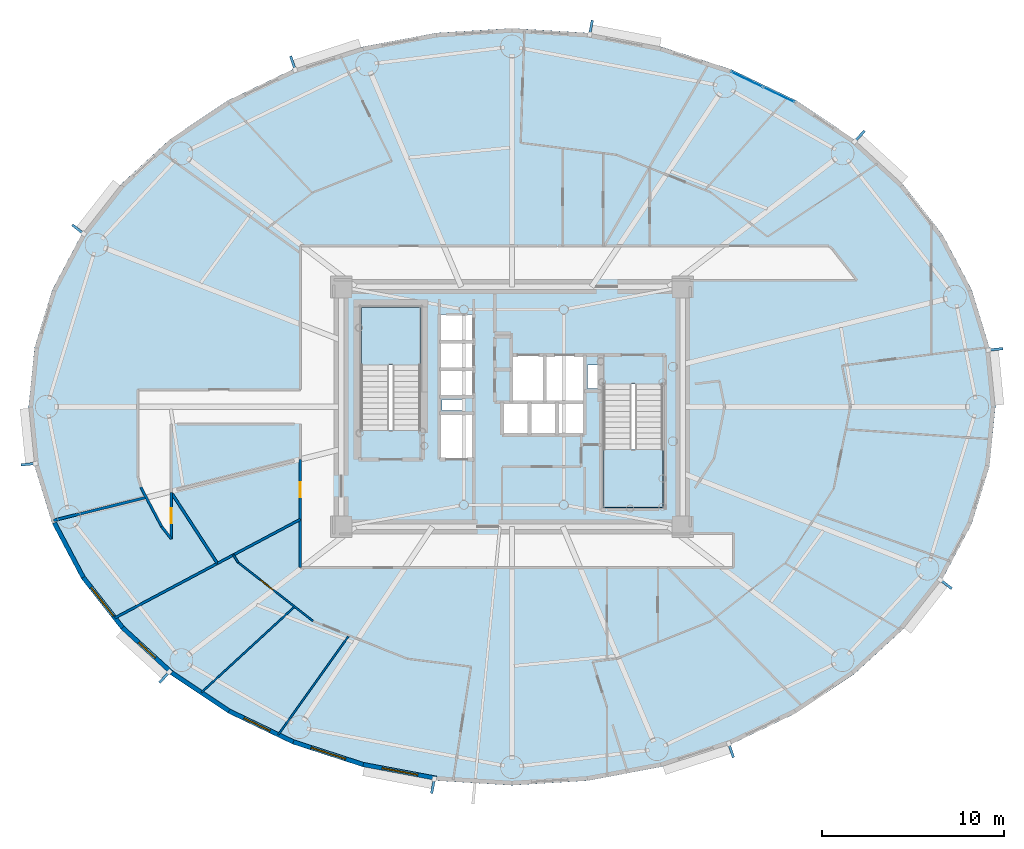
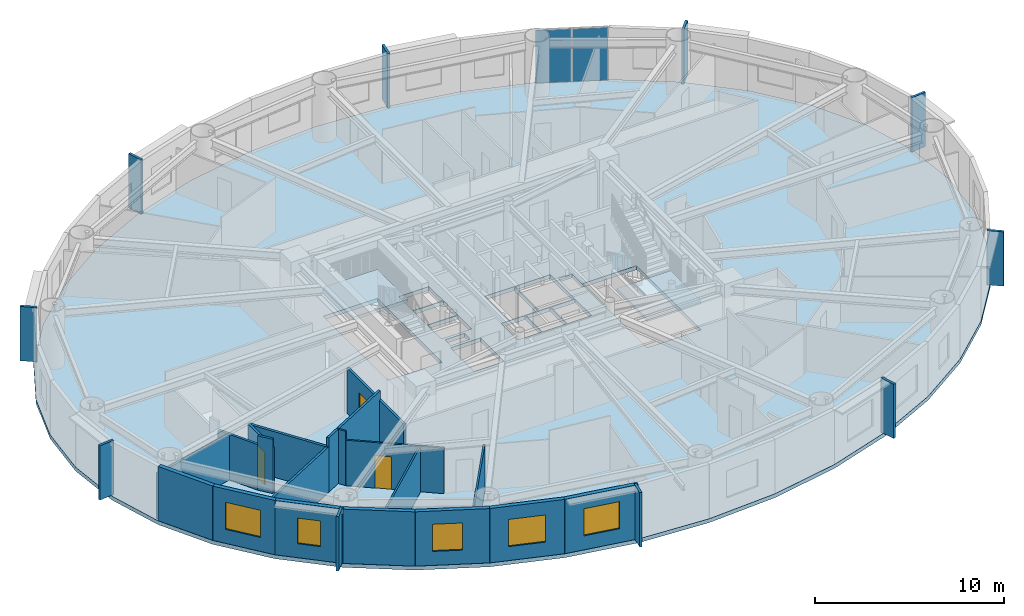
# One storey, part 6 of 17: 20 walls, 12 plates, 5 windows, 3 doors, 3 slabs, 8 openings, 3 elements without a shape of their own.
"""IFC4 building model written with IfcOpenShell, lengths in metres."""

from ifc_helpers import new_model, si_unit, direction, frame, frame_2d, origin, origin_2d, place, context, subcontext, project, spatial, polyline, rectangle, outline, extrude, source, transform, mapped, material, layer, layer_set, type_object, element, fill, aggregate, save


model = new_model("IFC4")

# Units and contexts
model_context = context("Model", 3, precision=1e-05, world=origin(), true_north=direction((0.0, 1.0)))
body_context = subcontext(model_context, "Body", "Model", "MODEL_VIEW")
ifc_project = project(units=[si_unit("LENGTHUNIT", "METRE"), si_unit("AREAUNIT", "SQUARE_METRE"), si_unit("VOLUMEUNIT", "CUBIC_METRE"), si_unit("PLANEANGLEUNIT", "RADIAN"), si_unit("MASSUNIT", "GRAM", prefix="KILO")], contexts=[model_context])

# Site, building, storey
site_placement = place(None, origin())
site = spatial("IfcSite", under=ifc_project, at=site_placement, CompositionType="ELEMENT")
building_placement = place(site_placement, origin())
building = spatial("IfcBuilding", under=site, at=building_placement, Name="Linh Dai School and Residence Tower", CompositionType="ELEMENT")
storey_placement = place(building_placement, frame((0.0, 0.0, 197.39990234375)))
storey = spatial("IfcBuildingStorey", under=building, at=storey_placement, Name="L48", CompositionType="ELEMENT", Elevation=197.39990234375)

# Slab
ifc_material_1 = material(Name="Concrete B45 (C35/45)", Category="concrete")
ifc_layer_1 = layer(ifc_material_1, 0.25)
ifc_layer_set_1 = layer_set([ifc_layer_1], Name="Concrete B45 (C35/45)")
slab_type_1 = type_object("IfcSlabType", Name="SLB-FLR250", PredefinedType="FLOOR", material=ifc_layer_set_1)
slab_1_placement = place(storey_placement, frame((0.0, 0.0, -0.25)))
element("IfcSlab", 1, at=slab_1_placement, inside=storey, type_object=slab_type_1, Name="L48 Composite Structural Floor Slab", PredefinedType="FLOOR", context=body_context, shape_type="SweptSolid", body=[
    extrude(outline(polyline([(62.60009765625, 27.0), (62.2724609375, 30.258544921875), (61.298095703125, 33.436767578125), (59.70068359375, 36.45654296875), (57.519775390625, 39.24365234375), (54.80908203125, 41.72900390625), (51.635009765625, 43.851806640625), (48.076171875, 45.5595703125), (44.219970703125, 46.810546875), (40.1611328125, 47.573486328125), (36.0, 47.830078125), (31.8388671875, 47.573486328125), (27.780029296875, 46.810546875), (23.923828125, 45.5595703125), (20.364990234375, 43.851806640625), (17.19091796875, 41.72900390625), (14.480224609375, 39.24365234375), (12.29931640625, 36.45654296875), (10.701904296875, 33.436767578125), (9.7275390625, 30.258544921875), (9.39990234375, 27.0), (9.7275390625, 23.741455078125), (10.701904296875, 20.563232421875), (12.29931640625, 17.54345703125), (14.480224609375, 14.75634765625), (17.19091796875, 12.27099609375), (20.364990234375, 10.148193359375), (23.923828125, 8.4404296875), (27.780029296875, 7.189453125), (31.8388671875, 6.426513671875), (36.0, 6.169921875), (40.1611328125, 6.426513671875), (44.219970703125, 7.189453125), (48.076171875, 8.4404296875), (51.635009765625, 10.148193359375), (54.80908203125, 12.27099609375), (57.519775390625, 14.75634765625), (59.70068359375, 17.54345703125), (61.298095703125, 20.563232421875), (62.2724609375, 23.741455078125), (62.60009765625, 27.0)]), holes=[polyline([(30.97998046875, 25.699951171875), (30.97998046875, 32.5), (27.679931640625, 32.5), (27.679931640625, 25.699951171875), (30.97998046875, 25.699951171875)]), polyline([(41.02001953125, 28.25), (41.02001953125, 21.449951171875), (44.320068359375, 21.449951171875), (44.320068359375, 28.25), (41.02001953125, 28.25)]), polyline([(35.97998046875, 27.280029296875), (37.77001953125, 27.280029296875), (37.77001953125, 29.820068359375), (35.97998046875, 29.820068359375), (35.97998046875, 27.280029296875)]), polyline([(32.030029296875, 24.1298828125), (33.8701171875, 24.1298828125), (33.8701171875, 26.6201171875), (32.030029296875, 26.6201171875), (32.030029296875, 24.1298828125)]), polyline([(37.830078125, 27.280029296875), (39.969970703125, 27.280029296875), (39.969970703125, 29.820068359375), (37.830078125, 29.820068359375), (37.830078125, 27.280029296875)]), polyline([(32.030029296875, 27.580078125), (33.8701171875, 27.580078125), (33.8701171875, 29.030029296875), (32.030029296875, 29.030029296875), (32.030029296875, 27.580078125)]), polyline([(32.030029296875, 29.090087890625), (33.8701171875, 29.090087890625), (33.8701171875, 30.550048828125), (32.030029296875, 30.550048828125), (32.030029296875, 29.090087890625)]), polyline([(32.030029296875, 30.610107421875), (33.8701171875, 30.610107421875), (33.8701171875, 32.070068359375), (32.030029296875, 32.070068359375), (32.030029296875, 30.610107421875)]), polyline([(35.47998046875, 25.47998046875), (36.929931640625, 25.47998046875), (36.929931640625, 27.219970703125), (35.47998046875, 27.219970703125), (35.47998046875, 25.47998046875)]), polyline([(36.989990234375, 25.47998046875), (38.449951171875, 25.47998046875), (38.449951171875, 27.219970703125), (36.989990234375, 27.219970703125), (36.989990234375, 25.47998046875)]), polyline([(38.510009765625, 25.47998046875), (39.969970703125, 25.47998046875), (39.969970703125, 27.219970703125), (38.510009765625, 27.219970703125), (38.510009765625, 25.47998046875)]), polyline([(40.14990234375, 28.0), (40.14990234375, 29.300048828125), (41.0, 29.300048828125), (41.0, 28.280029296875), (40.989990234375, 28.280029296875), (40.989990234375, 28.0), (40.14990234375, 28.0)]), polyline([(32.14990234375, 26.800048828125), (33.35009765625, 26.800048828125), (33.35009765625, 27.39990234375), (32.14990234375, 27.39990234375), (32.14990234375, 26.800048828125)])]), origin(), (0.0, 0.0, 1.0), 0.25),
])

# Stair, slab
stair_type = type_object("IfcStairType", Name="ST-DOG-1550-R1442", PredefinedType="HALF_TURN_STAIR", material=ifc_material_1)
stair_1_placement = place(storey_placement, origin())
stair_1 = element("IfcStair", 2, at=stair_1_placement, inside=storey, type_object=stair_type, Name="L48 Core Smokeproof Exit Stair ST1", PredefinedType="HALF_TURN_STAIR")
ifc_layer_2 = layer(ifc_material_1, 0.199951171875)
ifc_layer_set_2 = layer_set([ifc_layer_2], Name="Concrete B45 (C35/45)")
slab_type_2 = type_object("IfcSlabType", Name="SLB-ST-LANDING-200", PredefinedType="LANDING", material=ifc_layer_set_2)
slab_2_placement = place(storey_placement, frame((0.0, 0.0, 1.675048828125)))
slab_2 = element("IfcSlab", 3, at=slab_2_placement, type_object=slab_type_2, Name="ST1 landing 1", PredefinedType="LANDING", context=body_context, shape_type="SweptSolid", body=[
    extrude(outline(polyline([(30.97998046875, 29.300048828125), (30.97998046875, 32.5), (27.679931640625, 32.5), (27.679931640625, 29.300048828125), (30.97998046875, 29.300048828125)])), origin(), (0.0, 0.0, 1.0), 0.199951171875),
])
aggregate(stair_1, [slab_2])

stair_2_placement = place(storey_placement, origin())
stair_2 = element("IfcStair", 4, at=stair_2_placement, inside=storey, type_object=stair_type, Name="L48 Core Smokeproof Exit Stair ST2", PredefinedType="HALF_TURN_STAIR")
slab_3_placement = place(storey_placement, frame((0.0, 0.0, 1.675048828125)))
slab_3 = element("IfcSlab", 5, at=slab_3_placement, type_object=slab_type_2, Name="ST2 landing 1", PredefinedType="LANDING", context=body_context, shape_type="SweptSolid", body=[
    extrude(outline(polyline([(41.02001953125, 24.64990234375), (41.02001953125, 21.449951171875), (44.320068359375, 21.449951171875), (44.320068359375, 24.64990234375), (41.02001953125, 24.64990234375)])), origin(), (0.0, 0.0, 1.0), 0.199951171875),
])
aggregate(stair_2, [slab_3])

# Plates
ifc_material_2 = material(Name="Precast Concrete B45 (C35/45)", Category="concrete")
ifc_layer_3 = layer(ifc_material_2, 0.139892578125)
ifc_layer_set_3 = layer_set([ifc_layer_3], Name="Precast Concrete B45 (C35/45)")
plate_type_1 = type_object("IfcPlateType", Name="FIN-TC-900x140", PredefinedType="USERDEFINED", material=ifc_layer_set_3)
shared_shape_1 = source(origin(), body_context, "Body", "SweptSolid", [
    extrude(rectangle(XDim=0.89990234375, YDim=0.139892578125, at=origin_2d()), origin(), (0.0, 0.0, 1.0), 3.5),
])
for number, where, z_axis, x_axis, name in (
    (6, (62.56982421875, 30.1552734375, 0.0), (0.0, 0.0, 1.0), (0.994987256586, 0.100001796141, 0.0), "L48 Precast Terracotta Radial Fin 01"),
    (7, (55.097412109375, 41.851806640625, 0.0), (0.0, 0.0, 1.0), (0.67580001435, 0.737085029426, 0.0), "L48 Precast Terracotta Radial Fin 05"),
    (8, (40.33935546875, 47.830322265625, 0.0), (0.0, 0.0, 1.0), (0.184762540184, 0.982783192645, 0.0), "L48 Precast Terracotta Radial Fin 09"),
    (9, (23.957763671875, 45.87060546875, 0.0), (0.0, 0.0, 1.0), (-0.308535707031, 0.951212761419, 0.0), "L48 Precast Terracotta Radial Fin 13"),
    (10, (12.155029296875, 36.735595703125, 0.0), (0.0, 0.0, 1.0), (-0.787522158319, 0.616286337798, 0.0), "L48 Precast Terracotta Radial Fin 17"),
    (11, (9.43017578125, 23.8447265625, 0.0), (0.0, 0.0, 1.0), (-0.994987256586, -0.100001796141, 0.0), "L48 Precast Terracotta Radial Fin 21"),
    (12, (16.902587890625, 12.148193359375, 0.0), (0.0, 0.0, 1.0), (-0.67580001435, -0.737085029426, 0.0), "L48 Precast Terracotta Radial Fin 25"),
    (13, (31.66064453125, 6.169677734375, 0.0), (0.0, 0.0, 1.0), (-0.184762540184, -0.982783192645, 0.0), "L48 Precast Terracotta Radial Fin 29"),
    (14, (48.042236328125, 8.12939453125, 0.0), (0.0, 0.0, 1.0), (0.308535707031, -0.951212761419, 0.0), "L48 Precast Terracotta Radial Fin 33"),
    (15, (59.844970703125, 17.264404296875, 0.0), (0.0, 0.0, 1.0), (0.787522158319, -0.616286337798, 0.0), "L48 Precast Terracotta Radial Fin 37"),
):
    element("IfcPlate", number, at=place(storey_placement, frame(where, z_axis=z_axis, x_axis=x_axis)), inside=storey, type_object=plate_type_1, Name=name, ObjectType="RADIAL FIN", PredefinedType="USERDEFINED", context=body_context, shape_type="MappedRepresentation", body=[
        mapped(shared_shape_1, transform((0.0, 0.0, 0.0), x_axis=(1.0, 0.0, 0.0), y_axis=(0.0, 1.0, 0.0), z_axis=(0.0, 0.0, 1.0), scale=1.0)),
    ])

# Curtain wall, plates
ifc_material_3 = material(Name="Aluminium Anodised Curtain Wall", Category="aluminium")
ifc_layer_4 = layer(ifc_material_3, 0.14990234375)
ifc_layer_set_4 = layer_set([ifc_layer_4], Name="Aluminium Anodised Curtain Wall")
curtain_wall_type = type_object("IfcCurtainWallType", Name="CW-SYS-4", PredefinedType="USERDEFINED", material=ifc_layer_set_4)
curtain_wall_placement = place(storey_placement, origin())
curtain_wall = element("IfcCurtainWall", 16, at=curtain_wall_placement, inside=storey, type_object=curtain_wall_type, Name="L48 CW4 Curtain Wall 07", ObjectType="RIBBON CURTAIN WALL", PredefinedType="USERDEFINED")
ifc_material_4 = material(Name="Double Low-E Insulated Glazing", Category="glass")
ifc_layer_5 = layer(ifc_material_4, 0.02587890625)
ifc_layer_set_5 = layer_set([ifc_layer_5], Name="Double Low-E Insulated Glazing")
plate_type_2 = type_object("IfcPlateType", Name="CW-SYS-4-PAN", PredefinedType="CURTAIN_PANEL", material=ifc_layer_set_5)
shared_shape_2 = source(origin(), body_context, "Body", "SweptSolid", [
    extrude(rectangle(XDim=1.88720703125, YDim=0.02587890625, at=origin_2d()), origin(), (0.0, 0.0, 1.0), 3.39599609375),
])
plate_1_placement = place(storey_placement, frame((48.927490234375, 45.012939453125, 0.052001953125), z_axis=(0.0, 0.0, 1.0), x_axis=(0.901569306779, -0.432634701653, 0.0)))
plate_1 = element("IfcPlate", 17, at=plate_1_placement, type_object=plate_type_2, Name="CW4 panel 1.1", PredefinedType="CURTAIN_PANEL", context=body_context, shape_type="MappedRepresentation", body=[
    mapped(shared_shape_2, transform((0.0, 0.0, 0.0), x_axis=(1.0, 0.0, 0.0), y_axis=(0.0, 1.0, 0.0), z_axis=(0.0, 0.0, 1.0), scale=1.0)),
])
plate_2_placement = place(storey_placement, frame((50.67578125, 44.173828125, 0.052001953125), z_axis=(0.0, 0.0, 1.0), x_axis=(0.901569306779, -0.432634701653, 0.0)))
plate_2 = element("IfcPlate", 18, at=plate_2_placement, type_object=plate_type_2, Name="CW4 panel 2.1", PredefinedType="CURTAIN_PANEL", context=body_context, shape_type="MappedRepresentation", body=[
    mapped(shared_shape_2, transform((0.0, 0.0, 0.0), x_axis=(1.0, 0.0, 0.0), y_axis=(0.0, 1.0, 0.0), z_axis=(0.0, 0.0, 1.0), scale=1.0)),
])
aggregate(curtain_wall, [plate_1, plate_2])

# Wall
ifc_layer_6 = layer(ifc_material_2, 0.239990234375)
ifc_layer_set_6 = layer_set([ifc_layer_6], Name="Precast Concrete B45 (C35/45)")
wall_type_1 = type_object("IfcWallType", Name="EW-TC-240", PredefinedType="SOLIDWALL", material=ifc_layer_set_6)
wall_1_placement = place(storey_placement, frame((12.404052734375, 17.611572265625, 0.0), z_axis=(0.0, 0.0, 1.0), x_axis=(-0.467586874938, 0.88394712194, 0.0)))
element("IfcWall", 19, at=wall_1_placement, inside=storey, type_object=wall_type_1, Name="L48 Terracotta Exterior Wall 23", PredefinedType="SOLIDWALL", context=body_context, shape_type="SweptSolid", body=[
    extrude(rectangle(XDim=3.393310546875, YDim=0.239990234375, at=frame_2d((1.69677734375, 0.0))), origin(), (0.0, 0.0, 1.0), 3.5),
])

# Wall, opening, window
wall_2_placement = place(storey_placement, frame((14.57177734375, 14.841552734375, 0.0), z_axis=(0.0, 0.0, 1.0), x_axis=(-0.616287674549, 0.787521112224, 0.0)))
wall_2 = element("IfcWall", 20, at=wall_2_placement, inside=storey, type_object=wall_type_1, Name="L48 Terracotta Exterior Wall 24", PredefinedType="SOLIDWALL", context=body_context, shape_type="SweptSolid", body=[
    extrude(rectangle(XDim=3.517333984375, YDim=0.239990234375, at=frame_2d((1.7587890625, 0.0))), origin(), (0.0, 0.0, 1.0), 3.5),
])
opening_1_placement = place(wall_2_placement, frame((0.818603515625, 0.0, 0.89990234375)))
opening_1 = element("IfcOpeningElement", 21, at=opening_1_placement, cuts=wall_2, Name="Opening W1", PredefinedType="OPENING", context=body_context, shape_type="SweptSolid", body=[
    extrude(rectangle(XDim=2.0, YDim=1.75, at=origin_2d()), frame((1.0, 0.1298828125, 0.875), z_axis=(0.0, -1.0, 0.0), x_axis=(1.0, 0.0, 0.0)), (0.0, 0.0, 1.0), 0.260009765625),
])
window_type_1 = type_object("IfcWindowType", Name="WN-RES-2000x1750", PartitioningType="DOUBLE_PANEL_VERTICAL", PredefinedType="WINDOW", material=ifc_material_4)
shared_shape_3 = source(origin(), body_context, "Body", "SweptSolid", [
    extrude(rectangle(XDim=2.0, YDim=1.75, at=origin_2d()), frame((1.0, 0.030029296875, 0.875), z_axis=(0.0, -1.0, 0.0), x_axis=(1.0, 0.0, 0.0)), (0.0, 0.0, 1.0), 0.06005859375),
])
window_1_placement = place(opening_1_placement, origin())
window_1 = element("IfcWindow", 22, at=window_1_placement, inside=storey, type_object=window_type_1, Name="L48 Exterior Window 24.1", OverallHeight=1.75, OverallWidth=2.0, PartitioningType="DOUBLE_PANEL_VERTICAL", PredefinedType="WINDOW", context=body_context, shape_type="MappedRepresentation", body=[
    mapped(shared_shape_3, transform((0.0, 0.0, 0.0), x_axis=(1.0, 0.0, 0.0), y_axis=(0.0, 1.0, 0.0), z_axis=(0.0, 0.0, 1.0), scale=1.0)),
])
fill(opening_1, window_1)

wall_3_placement = place(storey_placement, frame((17.26806640625, 12.369384765625, 0.0), z_axis=(0.0, 0.0, 1.0), x_axis=(-0.737076565834, 0.675809245349, 0.0)))
wall_3 = element("IfcWall", 23, at=wall_3_placement, inside=storey, type_object=wall_type_1, Name="L48 Terracotta Exterior Wall 25", PredefinedType="SOLIDWALL", context=body_context, shape_type="SweptSolid", body=[
    extrude(rectangle(XDim=3.658203125, YDim=0.239990234375, at=frame_2d((1.8291015625, 0.0))), origin(), (0.0, 0.0, 1.0), 3.5),
])
opening_2_placement = place(wall_3_placement, frame((1.2041015625, 0.0, 0.89990234375)))
opening_2 = element("IfcOpeningElement", 24, at=opening_2_placement, cuts=wall_3, Name="Opening W3", PredefinedType="OPENING", context=body_context, shape_type="SweptSolid", body=[
    extrude(rectangle(XDim=1.25, YDim=1.64990234375, at=origin_2d()), frame((0.625, 0.1298828125, 0.824951171875), z_axis=(0.0, -1.0, 0.0), x_axis=(1.0, 0.0, 0.0)), (0.0, 0.0, 1.0), 0.260009765625),
])
window_type_2 = type_object("IfcWindowType", Name="WN-RES-1250x1650", PartitioningType="SINGLE_PANEL", PredefinedType="WINDOW", material=ifc_material_4)
shared_shape_4 = source(origin(), body_context, "Body", "SweptSolid", [
    extrude(rectangle(XDim=1.25, YDim=1.64990234375, at=origin_2d()), frame((0.625, 0.030029296875, 0.824951171875), z_axis=(0.0, -1.0, 0.0), x_axis=(1.0, 0.0, 0.0)), (0.0, 0.0, 1.0), 0.06005859375),
])
window_2_placement = place(opening_2_placement, origin())
window_2 = element("IfcWindow", 25, at=window_2_placement, inside=storey, type_object=window_type_2, Name="L48 Dwelling Window U4801-BD1", OverallHeight=1.64990234375, OverallWidth=1.25, PartitioningType="SINGLE_PANEL", PredefinedType="WINDOW", context=body_context, shape_type="MappedRepresentation", body=[
    mapped(shared_shape_4, transform((0.0, 0.0, 0.0), x_axis=(1.0, 0.0, 0.0), y_axis=(0.0, 1.0, 0.0), z_axis=(0.0, 0.0, 1.0), scale=1.0)),
])
fill(opening_2, window_2)

# Wall
wall_4_placement = place(storey_placement, frame((20.4267578125, 10.2568359375, 0.0), z_axis=(0.0, 0.0, 1.0), x_axis=(-0.831228998277, 0.555930168657, 0.0)))
element("IfcWall", 26, at=wall_4_placement, inside=storey, type_object=wall_type_1, Name="L48 Terracotta Exterior Wall 26", PredefinedType="SOLIDWALL", context=body_context, shape_type="SweptSolid", body=[
    extrude(rectangle(XDim=3.800048828125, YDim=0.239990234375, at=frame_2d((1.89990234375, 0.0))), origin(), (0.0, 0.0, 1.0), 3.5),
])

# Wall, opening, window
wall_5_placement = place(storey_placement, frame((23.97021484375, 8.556396484375, 0.0), z_axis=(0.0, 0.0, 1.0), x_axis=(-0.901564733809, 0.432644231155, 0.0)))
wall_5 = element("IfcWall", 27, at=wall_5_placement, inside=storey, type_object=wall_type_1, Name="L48 Terracotta Exterior Wall 27", PredefinedType="SOLIDWALL", context=body_context, shape_type="SweptSolid", body=[
    extrude(rectangle(XDim=3.930419921875, YDim=0.239990234375, at=frame_2d((1.96533203125, 0.0))), origin(), (0.0, 0.0, 1.0), 3.5),
])
opening_3_placement = place(wall_5_placement, frame((1.421142578125, 0.0, 0.89990234375)))
opening_3 = element("IfcOpeningElement", 28, at=opening_3_placement, cuts=wall_5, Name="Opening W2", PredefinedType="OPENING", context=body_context, shape_type="SweptSolid", body=[
    extrude(rectangle(XDim=1.60009765625, YDim=1.75, at=origin_2d()), frame((0.800048828125, 0.1298828125, 0.875), z_axis=(0.0, -1.0, 0.0), x_axis=(1.0, 0.0, 0.0)), (0.0, 0.0, 1.0), 0.260009765625),
])
window_type_3 = type_object("IfcWindowType", Name="WN-RES-1600x1750", PartitioningType="DOUBLE_PANEL_VERTICAL", PredefinedType="WINDOW", material=ifc_material_4)
shared_shape_5 = source(origin(), body_context, "Body", "SweptSolid", [
    extrude(rectangle(XDim=1.60009765625, YDim=1.75, at=origin_2d()), frame((0.800048828125, 0.030029296875, 0.875), z_axis=(0.0, -1.0, 0.0), x_axis=(1.0, 0.0, 0.0)), (0.0, 0.0, 1.0), 0.06005859375),
])
window_3_placement = place(opening_3_placement, origin())
window_3 = element("IfcWindow", 29, at=window_3_placement, inside=storey, type_object=window_type_3, Name="L48 Exterior Window 27.1", OverallHeight=1.75, OverallWidth=1.60009765625, PartitioningType="DOUBLE_PANEL_VERTICAL", PredefinedType="WINDOW", context=body_context, shape_type="MappedRepresentation", body=[
    mapped(shared_shape_5, transform((0.0, 0.0, 0.0), x_axis=(1.0, 0.0, 0.0), y_axis=(0.0, 1.0, 0.0), z_axis=(0.0, 0.0, 1.0), scale=1.0)),
])
fill(opening_3, window_3)

wall_6_placement = place(storey_placement, frame((27.81103515625, 7.310546875, 0.0), z_axis=(0.0, 0.0, 1.0), x_axis=(-0.951209870236, 0.30854462038, 0.0)))
wall_6 = element("IfcWall", 30, at=wall_6_placement, inside=storey, type_object=wall_type_1, Name="L48 Terracotta Exterior Wall 28", PredefinedType="SOLIDWALL", context=body_context, shape_type="SweptSolid", body=[
    extrude(rectangle(XDim=4.037841796875, YDim=0.239990234375, at=frame_2d((2.01904296875, 0.0))), origin(), (0.0, 0.0, 1.0), 3.5),
])
opening_4_placement = place(wall_6_placement, frame((1.018798828125, 0.0, 0.89990234375)))
opening_4 = element("IfcOpeningElement", 31, at=opening_4_placement, cuts=wall_6, Name="Opening W1", PredefinedType="OPENING", context=body_context, shape_type="SweptSolid", body=[
    extrude(rectangle(XDim=2.0, YDim=1.75, at=origin_2d()), frame((1.0, 0.1298828125, 0.875), z_axis=(0.0, -1.0, 0.0), x_axis=(1.0, 0.0, 0.0)), (0.0, 0.0, 1.0), 0.260009765625),
])
window_4_placement = place(opening_4_placement, origin())
window_4 = element("IfcWindow", 32, at=window_4_placement, inside=storey, type_object=window_type_1, Name="L48 Exterior Window 28.1", OverallHeight=1.75, OverallWidth=2.0, PartitioningType="DOUBLE_PANEL_VERTICAL", PredefinedType="WINDOW", context=body_context, shape_type="MappedRepresentation", body=[
    mapped(shared_shape_3, transform((0.0, 0.0, 0.0), x_axis=(1.0, 0.0, 0.0), y_axis=(0.0, 1.0, 0.0), z_axis=(0.0, 0.0, 1.0), scale=1.0)),
])
fill(opening_4, window_4)

wall_7_placement = place(storey_placement, frame((31.854248046875, 6.550537109375, 0.0), z_axis=(0.0, 0.0, 1.0), x_axis=(-0.982788108205, 0.184736391573, 0.0)))
wall_7 = element("IfcWall", 33, at=wall_7_placement, inside=storey, type_object=wall_type_1, Name="L48 Terracotta Exterior Wall 29", PredefinedType="SOLIDWALL", context=body_context, shape_type="SweptSolid", body=[
    extrude(rectangle(XDim=4.114013671875, YDim=0.239990234375, at=frame_2d((2.05712890625, 0.0))), origin(), (0.0, 0.0, 1.0), 3.5),
])
opening_5_placement = place(wall_7_placement, frame((1.056884765625, 0.0, 0.89990234375)))
opening_5 = element("IfcOpeningElement", 34, at=opening_5_placement, cuts=wall_7, Name="Opening W1", PredefinedType="OPENING", context=body_context, shape_type="SweptSolid", body=[
    extrude(rectangle(XDim=2.0, YDim=1.75, at=origin_2d()), frame((1.0, 0.1298828125, 0.875), z_axis=(0.0, -1.0, 0.0), x_axis=(1.0, 0.0, 0.0)), (0.0, 0.0, 1.0), 0.260009765625),
])
window_5_placement = place(opening_5_placement, origin())
window_5 = element("IfcWindow", 35, at=window_5_placement, inside=storey, type_object=window_type_1, Name="L48 Exterior Window 29.1", OverallHeight=1.75, OverallWidth=2.0, PartitioningType="DOUBLE_PANEL_VERTICAL", PredefinedType="WINDOW", context=body_context, shape_type="MappedRepresentation", body=[
    mapped(shared_shape_3, transform((0.0, 0.0, 0.0), x_axis=(1.0, 0.0, 0.0), y_axis=(0.0, 1.0, 0.0), z_axis=(0.0, 0.0, 1.0), scale=1.0)),
])
fill(opening_5, window_5)

# Walls
ifc_material_5 = material(Name="Autoclaved Aerated Concrete Blockwork", Category="masonry")
ifc_layer_7 = layer(ifc_material_5, 0.135009765625)
ifc_layer_set_7 = layer_set([ifc_layer_7], Name="Autoclaved Aerated Concrete Blockwork")
wall_type_2 = type_object("IfcWallType", Name="IW-CORR-135-EI90", PredefinedType="PARTITIONING", material=ifc_layer_set_7)
wall_8_placement = place(storey_placement, frame((14.14453125, 15.379150390625, 0.0), z_axis=(0.0, 0.0, 1.0), x_axis=(0.882932689309, 0.469499591214, 0.0)))
element("IfcWall", 36, at=wall_8_placement, inside=storey, type_object=wall_type_2, Name="L48 Interior Partition Wall 002", PredefinedType="PARTITIONING", context=body_context, shape_type="SweptSolid", body=[
    extrude(rectangle(XDim=6.392333984375, YDim=0.135009765625, at=frame_2d((3.1962890625, 0.0))), origin(), (0.0, 0.0, 1.0), 2.93505859375),
])
wall_9_placement = place(storey_placement, frame((15.57421875, 22.577880859375, 0.0), z_axis=(0.0, 0.0, 1.0), x_axis=(0.467530807018, -0.883976778252, 0.0)))
element("IfcWall", 37, at=wall_9_placement, inside=storey, type_object=wall_type_2, Name="L48 Interior Partition Wall 006", PredefinedType="PARTITIONING", context=body_context, shape_type="SweptSolid", body=[
    extrude(rectangle(XDim=2.45166015625, YDim=0.135009765625, at=frame_2d((1.225830078125, 0.0))), origin(), (0.0, 0.0, 1.0), 2.93505859375),
])
wall_10_placement = place(storey_placement, frame((16.720458984375, 20.410888671875, 0.0), z_axis=(0.0, 0.0, 1.0), x_axis=(0.616377221056, -0.787451027914, 0.0)))
element("IfcWall", 38, at=wall_10_placement, inside=storey, type_object=wall_type_2, Name="L48 Interior Partition Wall 008", PredefinedType="PARTITIONING", context=body_context, shape_type="SweptSolid", body=[
    extrude(rectangle(XDim=0.859130859375, YDim=0.135009765625, at=frame_2d((0.4296875, 0.0))), origin(), (0.0, 0.0, 1.0), 3.5),
])

# Wall, opening, door
wall_11_placement = place(storey_placement, frame((17.25, 19.734375, 0.0), z_axis=(0.0, 0.0, 1.0), x_axis=(0.0, 1.0, 0.0)))
wall_11 = element("IfcWall", 39, at=wall_11_placement, inside=storey, type_object=wall_type_2, Name="L48 Interior Partition Wall 009", PredefinedType="PARTITIONING", context=body_context, shape_type="SweptSolid", body=[
    extrude(rectangle(XDim=2.547607421875, YDim=0.135009765625, at=frame_2d((1.27392578125, 0.0))), origin(), (0.0, 0.0, 1.0), 2.93505859375),
])
opening_6_placement = place(wall_11_placement, frame((0.86376953125, 0.0, 0.0)))
opening_6 = element("IfcOpeningElement", 40, at=opening_6_placement, cuts=wall_11, Name="Opening D06", PredefinedType="OPENING", context=body_context, shape_type="SweptSolid", body=[
    extrude(rectangle(XDim=0.820068359375, YDim=2.10009765625, at=origin_2d()), frame((0.41015625, 0.07763671875, 1.050048828125), z_axis=(0.0, -1.0, 0.0), x_axis=(1.0, 0.0, 0.0)), (0.0, 0.0, 1.0), 0.155029296875),
])
ifc_material_6 = material(Name="Moisture-Resistant Timber Bathroom Door", Category="wood")
door_type_1 = type_object("IfcDoorType", Name="DR-WET-820x2100", OperationType="NOTDEFINED", PredefinedType="DOOR", material=ifc_material_6)
shared_shape_6 = source(origin(), body_context, "Body", "SweptSolid", [
    extrude(rectangle(XDim=0.820068359375, YDim=2.10009765625, at=origin_2d()), frame((0.41015625, 0.02490234375, 1.050048828125), z_axis=(0.0, -1.0, 0.0), x_axis=(1.0, 0.0, 0.0)), (0.0, 0.0, 1.0), 0.050048828125),
])
door_1_placement = place(opening_6_placement, origin())
door_1 = element("IfcDoor", 41, at=door_1_placement, inside=storey, type_object=door_type_1, Name="L48 Amenity Tea Salon Door", OperationType="SINGLE_SWING_LEFT", OverallHeight=2.10009765625, OverallWidth=0.820068359375, PredefinedType="DOOR", context=body_context, shape_type="MappedRepresentation", body=[
    mapped(shared_shape_6, transform((0.0, 0.0, 0.0), x_axis=(1.0, 0.0, 0.0), y_axis=(0.0, 1.0, 0.0), z_axis=(0.0, 0.0, 1.0), scale=1.0)),
])
fill(opening_6, door_1)

# Walls
wall_12_placement = place(storey_placement, frame((19.797607421875, 18.385009765625, 0.0), z_axis=(0.0, 0.0, 1.0), x_axis=(0.882964446326, 0.469439864652, 0.0)))
element("IfcWall", 42, at=wall_12_placement, inside=storey, type_object=wall_type_2, Name="L48 Interior Partition Wall 012", PredefinedType="PARTITIONING", context=body_context, shape_type="SweptSolid", body=[
    extrude(rectangle(XDim=0.982421875, YDim=0.135009765625, at=frame_2d((0.4912109375, 0.0))), origin(), (0.0, 0.0, 1.0), 3.5),
])
wall_13_placement = place(storey_placement, frame((20.673828125, 18.850830078125, 0.0), z_axis=(0.0, 0.0, 1.0), x_axis=(0.882934968765, 0.469495304483, 0.0)))
element("IfcWall", 43, at=wall_13_placement, inside=storey, type_object=wall_type_2, Name="L48 Interior Partition Wall 015", PredefinedType="PARTITIONING", context=body_context, shape_type="SweptSolid", body=[
    extrude(rectangle(XDim=4.16357421875, YDim=0.135009765625, at=frame_2d((2.081787109375, 0.0))), origin(), (0.0, 0.0, 1.0), 3.5),
])

# Wall, opening, door
wall_14_placement = place(storey_placement, frame((24.35009765625, 18.14990234375, 0.0), z_axis=(0.0, 0.0, 1.0), x_axis=(0.0, 1.0, 0.0)))
wall_14 = element("IfcWall", 44, at=wall_14_placement, inside=storey, type_object=wall_type_2, Name="L48 Interior Partition Wall 019", PredefinedType="PARTITIONING", context=body_context, shape_type="SweptSolid", body=[
    extrude(rectangle(XDim=5.962646484375, YDim=0.135009765625, at=frame_2d((2.9814453125, 0.0))), origin(), (0.0, 0.0, 1.0), 2.93505859375),
])
opening_7_placement = place(wall_14_placement, frame((3.879150390625, 0.0, 0.0)))
opening_7 = element("IfcOpeningElement", 45, at=opening_7_placement, cuts=wall_14, Name="Opening D06", PredefinedType="OPENING", context=body_context, shape_type="SweptSolid", body=[
    extrude(rectangle(XDim=0.820068359375, YDim=2.10009765625, at=origin_2d()), frame((0.41015625, 0.07763671875, 1.050048828125), z_axis=(0.0, -1.0, 0.0), x_axis=(1.0, 0.0, 0.0)), (0.0, 0.0, 1.0), 0.155029296875),
])
door_2_placement = place(opening_7_placement, origin())
door_2 = element("IfcDoor", 46, at=door_2_placement, inside=storey, type_object=door_type_1, Name="L48 Amenity Accessible WC Door", OperationType="SINGLE_SWING_RIGHT", OverallHeight=2.10009765625, OverallWidth=0.820068359375, PredefinedType="DOOR", context=body_context, shape_type="MappedRepresentation", body=[
    mapped(shared_shape_6, transform((0.0, 0.0, 0.0), x_axis=(1.0, 0.0, 0.0), y_axis=(0.0, 1.0, 0.0), z_axis=(0.0, 0.0, 1.0), scale=1.0)),
])
fill(opening_7, door_2)

# Walls
ifc_layer_8 = layer(ifc_material_5, 0.14990234375)
ifc_layer_set_8 = layer_set([ifc_layer_8], Name="Autoclaved Aerated Concrete Blockwork")
wall_type_3 = type_object("IfcWallType", Name="IW-SCH-150-EI60", PredefinedType="PARTITIONING", material=ifc_layer_set_8)
wall_15_placement = place(storey_placement, frame((10.7705078125, 20.7470703125, 0.0), z_axis=(0.0, 0.0, 1.0), x_axis=(0.970640303721, 0.240535653891, 0.0)))
element("IfcWall", 47, at=wall_15_placement, inside=storey, type_object=wall_type_3, Name="L48 Interior Partition Wall 001", PredefinedType="PARTITIONING", context=body_context, shape_type="SweptSolid", body=[
    extrude(rectangle(XDim=5.257568359375, YDim=0.14990234375, at=frame_2d((2.62890625, 0.0))), origin(), (0.0, 0.0, 1.0), 2.93505859375),
])
wall_16_placement = place(storey_placement, frame((17.279296875, 22.23681640625, 0.0), z_axis=(0.0, 0.0, 1.0), x_axis=(0.545383699519, -0.83818650687, 0.0)))
element("IfcWall", 48, at=wall_16_placement, inside=storey, type_object=wall_type_3, Name="L48 Interior Partition Wall 010", PredefinedType="PARTITIONING", context=body_context, shape_type="SweptSolid", body=[
    extrude(rectangle(XDim=4.600830078125, YDim=0.14990234375, at=frame_2d((2.30029296875, 0.0))), origin(), (0.0, 0.0, 1.0), 2.93505859375),
])
ifc_material_7 = material(Name="Gypsum Plasterboard Acoustic Stud Partition", Category="masonry")
ifc_layer_9 = layer(ifc_material_7, 0.10009765625)
ifc_layer_set_9 = layer_set([ifc_layer_9], Name="Gypsum Plasterboard Acoustic Stud Partition")
wall_type_4 = type_object("IfcWallType", Name="IW-UNIT-100", PredefinedType="PARTITIONING", material=ifc_layer_set_9)
wall_17_placement = place(storey_placement, frame((18.89892578125, 11.2724609375, 0.0), z_axis=(0.0, 0.0, 1.0), x_axis=(0.736047362481, 0.676930040834, 0.0)))
element("IfcWall", 49, at=wall_17_placement, inside=storey, type_object=wall_type_4, Name="L48 Interior Partition Wall 011", PredefinedType="PARTITIONING", context=body_context, shape_type="SweptSolid", body=[
    extrude(rectangle(XDim=6.9833984375, YDim=0.10009765625, at=frame_2d((3.49169921875, 0.0))), origin(), (0.0, 0.0, 1.0), 2.93505859375),
])
wall_18_placement = place(storey_placement, frame((20.6650390625, 18.84619140625, 0.0), z_axis=(0.0, 0.0, 1.0), x_axis=(0.545143704476, -0.838342615802, 0.0)))
element("IfcWall", 50, at=wall_18_placement, inside=storey, type_object=wall_type_4, Name="L48 Interior Partition Wall 014", PredefinedType="PARTITIONING", context=body_context, shape_type="SweptSolid", body=[
    extrude(rectangle(XDim=0.4970703125, YDim=0.10009765625, at=frame_2d((0.24853515625, 0.0))), origin(), (0.0, 0.0, 1.0), 3.5),
])

# Wall, opening, door
wall_19_placement = place(storey_placement, frame((20.93603515625, 18.429443359375, 0.0), z_axis=(0.0, 0.0, 1.0), x_axis=(0.787322805473, -0.61654099619, 0.0)))
wall_19 = element("IfcWall", 51, at=wall_19_placement, inside=storey, type_object=wall_type_4, Name="L48 Interior Partition Wall 016", PredefinedType="PARTITIONING", context=body_context, shape_type="SweptSolid", body=[
    extrude(rectangle(XDim=5.232177734375, YDim=0.10009765625, at=frame_2d((2.6162109375, 0.0))), origin(), (0.0, 0.0, 1.0), 2.93505859375),
])
opening_8_placement = place(wall_19_placement, frame((1.54052734375, 0.0, 0.0)))
opening_8 = element("IfcOpeningElement", 52, at=opening_8_placement, cuts=wall_19, Name="Opening D05", PredefinedType="OPENING", context=body_context, shape_type="SweptSolid", body=[
    extrude(rectangle(XDim=0.89990234375, YDim=2.10009765625, at=origin_2d()), frame((0.449951171875, 0.06005859375, 1.050048828125), z_axis=(0.0, -1.0, 0.0), x_axis=(1.0, 0.0, 0.0)), (0.0, 0.0, 1.0), 0.1201171875),
])
ifc_material_8 = material(Name="Engineered Timber Internal Door", Category="wood")
door_type_2 = type_object("IfcDoorType", Name="DR-INT-900x2100", OperationType="NOTDEFINED", PredefinedType="DOOR", material=ifc_material_8)
shared_shape_7 = source(origin(), body_context, "Body", "SweptSolid", [
    extrude(rectangle(XDim=0.89990234375, YDim=2.10009765625, at=origin_2d()), frame((0.449951171875, 0.02490234375, 1.050048828125), z_axis=(0.0, -1.0, 0.0), x_axis=(1.0, 0.0, 0.0)), (0.0, 0.0, 1.0), 0.050048828125),
])
door_3_placement = place(opening_8_placement, origin())
door_3 = element("IfcDoor", 53, at=door_3_placement, inside=storey, type_object=door_type_2, Name="L48 Apartment U4801 Principal Bedroom 1 Door", OperationType="SINGLE_SWING_LEFT", OverallHeight=2.10009765625, OverallWidth=0.89990234375, PredefinedType="DOOR", context=body_context, shape_type="MappedRepresentation", body=[
    mapped(shared_shape_7, transform((0.0, 0.0, 0.0), x_axis=(1.0, 0.0, 0.0), y_axis=(0.0, 1.0, 0.0), z_axis=(0.0, 0.0, 1.0), scale=1.0)),
])
fill(opening_8, door_3)

# Wall
wall_20_placement = place(storey_placement, frame((23.1357421875, 8.951416015625, 0.0), z_axis=(0.0, 0.0, 1.0), x_axis=(0.580415349728, 0.814320589081, 0.0)))
element("IfcWall", 54, at=wall_20_placement, inside=storey, type_object=wall_type_4, Name="L48 Interior Partition Wall 018", PredefinedType="PARTITIONING", context=body_context, shape_type="SweptSolid", body=[
    extrude(rectangle(XDim=6.710205078125, YDim=0.10009765625, at=frame_2d((3.35498046875, 0.0))), origin(), (0.0, 0.0, 1.0), 2.93505859375),
])

save(model, "model.ifc")
